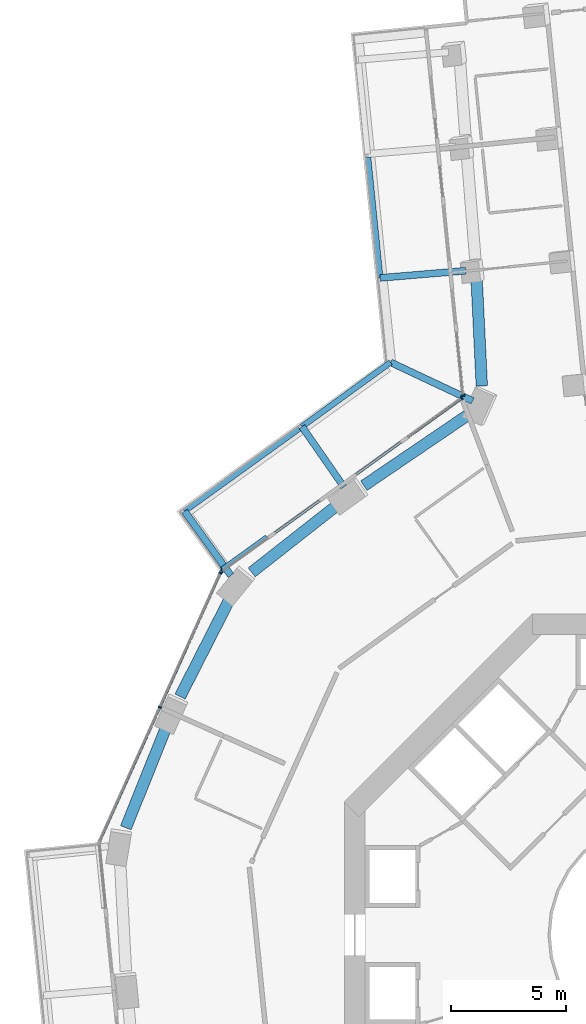
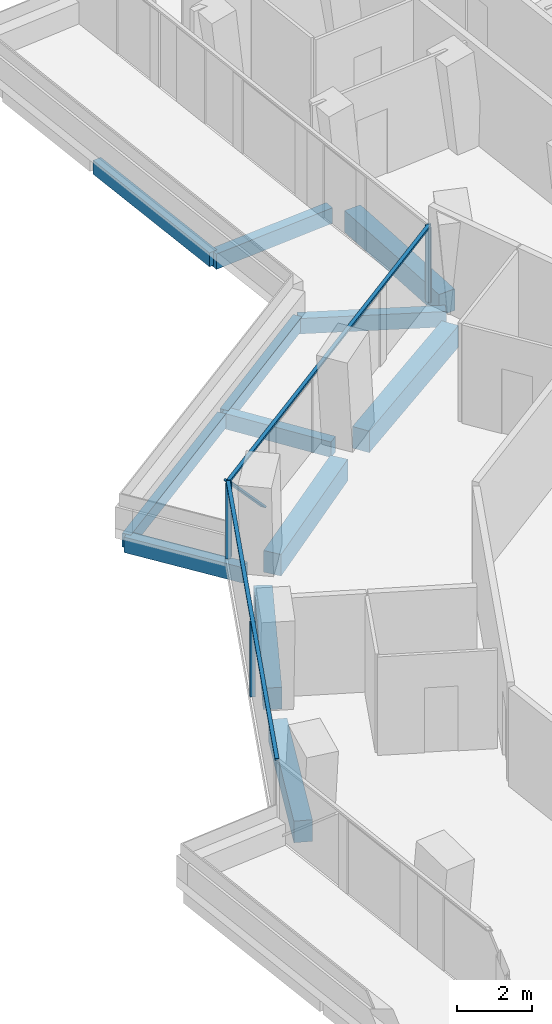
# One storey, part 7 of 26: 12 beams, 8 members, 3 elements without a shape of their own.
"""IFC4 building model written with IfcOpenShell, lengths in metres."""

from ifc_helpers import new_model, si_unit, direction, frame, origin, origin_2d, place, context, subcontext, project, spatial, rectangle, extrude, material, layer, layer_set, material_profile, profile_set, type_object, element, aggregate, save


model = new_model("IFC4")

# Units and contexts
model_context = context("Model", 3, precision=1e-05, world=origin(), true_north=direction((0.0, 1.0)))
body_context = subcontext(model_context, "Body", "Model", "MODEL_VIEW")
ifc_project = project(units=[si_unit("LENGTHUNIT", "METRE"), si_unit("AREAUNIT", "SQUARE_METRE"), si_unit("VOLUMEUNIT", "CUBIC_METRE"), si_unit("PLANEANGLEUNIT", "RADIAN"), si_unit("MASSUNIT", "GRAM", prefix="KILO")], contexts=[model_context])

# Site, building, storey
site_placement = place(None, origin())
site = spatial("IfcSite", under=ifc_project, at=site_placement, CompositionType="ELEMENT")
building_placement = place(site_placement, origin())
building = spatial("IfcBuilding", under=site, at=building_placement, Name="Verdalira Terraces Hotel", CompositionType="ELEMENT")
storey_placement = place(building_placement, frame((0.0, 0.0, 56.5)))
storey = spatial("IfcBuildingStorey", under=building, at=storey_placement, Name="L12", CompositionType="ELEMENT", Elevation=56.5)

# Beams
ifc_material_1 = material(Name="Concrete C40", Category="concrete")
ifc_material_profile_1 = material_profile(ifc_material_1, rectangle(XDim=0.300049, YDim=0.5, at=origin_2d()), Name="RC 300X500")
ifc_profile_set_1 = profile_set([ifc_material_profile_1], Name="Concrete C40")
beam_type_1 = type_object("IfcBeamType", Name="Balcony cantilever beam RC 300X500 C40", PredefinedType="BEAM", material=ifc_profile_set_1)
beam_1_placement = place(storey_placement, frame((-8.411133, 23.298096, -0.560059), z_axis=(-0.904852317, 0.425725598, 0.0), x_axis=(-0.425725598, -0.904852317, 0.0)))
element("IfcBeam", 1, at=beam_1_placement, inside=storey, type_object=beam_type_1, Name="Balcony cantilever beam R10-1", PredefinedType="BEAM", context=body_context, shape_type="SweptSolid", body=[
    extrude(rectangle(XDim=0.300049, YDim=0.5, at=origin_2d()), origin(), (0.0, 0.0, 1.0), 3.949951),
])
beam_2_placement = place(storey_placement, frame((-14.024658, 19.547363, -0.560059), z_axis=(-0.570771689, 0.821108811, 0.0), x_axis=(-0.821108811, -0.570771689, 0.0)))
element("IfcBeam", 2, at=beam_2_placement, inside=storey, type_object=beam_type_1, Name="Balcony cantilever beam R10-2", PredefinedType="BEAM", context=body_context, shape_type="SweptSolid", body=[
    extrude(rectangle(XDim=0.300049, YDim=0.5, at=origin_2d()), origin(), (0.0, 0.0, 1.0), 3.200684),
])
beam_3_placement = place(storey_placement, frame((-18.953369, 15.681396, -0.560059), z_axis=(-0.584373557, 0.811484779, 0.0), x_axis=(-0.811484779, -0.584373557, 0.0)))
element("IfcBeam", 3, at=beam_3_placement, inside=storey, type_object=beam_type_1, Name="Balcony cantilever beam R10-3", PredefinedType="BEAM", context=body_context, shape_type="SweptSolid", body=[
    extrude(rectangle(XDim=0.300049, YDim=0.5, at=origin_2d()), origin(), (0.0, 0.0, 1.0), 3.457031),
])
beam_4_placement = place(storey_placement, frame((-8.697754, 28.977295, -0.560059), z_axis=(-0.996492643, -0.083680414, 0.0), x_axis=(0.083680414, -0.996492643, 0.0)))
element("IfcBeam", 4, at=beam_4_placement, inside=storey, type_object=beam_type_1, Name="Balcony cantilever beam R10-6", PredefinedType="BEAM", context=body_context, shape_type="SweptSolid", body=[
    extrude(rectangle(XDim=0.300049, YDim=0.5, at=origin_2d()), origin(), (0.0, 0.0, 1.0), 3.754883),
])
ifc_material_2 = material(Name="Concrete C40", Category="concrete")
ifc_material_profile_2 = material_profile(ifc_material_2, rectangle(XDim=0.25, YDim=0.449951, at=origin_2d()), Name="RC 250X450")
ifc_profile_set_2 = profile_set([ifc_material_profile_2], Name="Concrete C40")
beam_type_2 = type_object("IfcBeamType", Name="Balcony edge beam RC 250X450 C40", PredefinedType="BEAM", material=ifc_profile_set_2)
beam_5_placement = place(storey_placement, frame((-11.985352, 24.979736, -0.534912), z_axis=(-0.809491398, -0.587131737, 0.0), x_axis=(0.587131737, -0.809491398, 0.0)))
element("IfcBeam", 5, at=beam_5_placement, inside=storey, type_object=beam_type_2, Name="Balcony edge beam R10-1", PredefinedType="BEAM", context=body_context, shape_type="SweptSolid", body=[
    extrude(rectangle(XDim=0.25, YDim=0.449951, at=origin_2d()), origin(), (0.0, 0.0, 1.0), 4.776123),
])
beam_6_placement = place(storey_placement, frame((-15.973145, 22.087891, -0.534912), z_axis=(-0.811478729, -0.584381958, 0.0), x_axis=(0.584381958, -0.811478729, 0.0)))
element("IfcBeam", 6, at=beam_6_placement, inside=storey, type_object=beam_type_2, Name="Balcony edge beam R10-2", PredefinedType="BEAM", context=body_context, shape_type="SweptSolid", body=[
    extrude(rectangle(XDim=0.25, YDim=0.449951, at=origin_2d()), origin(), (0.0, 0.0, 1.0), 6.162109),
])
beam_7_placement = place(storey_placement, frame((-12.969727, 33.919189, -0.534912), z_axis=(0.100377636, -0.994949411, 0.0), x_axis=(0.994949411, 0.100377636, 0.0)))
element("IfcBeam", 7, at=beam_7_placement, inside=storey, type_object=beam_type_2, Name="Balcony edge beam R10-4", PredefinedType="BEAM", context=body_context, shape_type="SweptSolid", body=[
    extrude(rectangle(XDim=0.25, YDim=0.449951, at=origin_2d()), origin(), (0.0, 0.0, 1.0), 5.282715),
])

# Curtain wall, members
ifc_material_3 = material(Name="Clear glass", Category="glass")
ifc_layer_1 = layer(ifc_material_3, 0.14990234375)
ifc_layer_set_1 = layer_set([ifc_layer_1], Name="CW1 curtain wall")
curtain_wall_type_1 = type_object("IfcCurtainWallType", Name="CW1 curtain wall", PredefinedType="NOTDEFINED", material=ifc_layer_set_1)
curtain_wall_1_placement = place(storey_placement, origin())
curtain_wall_1 = element("IfcCurtainWall", 8, at=curtain_wall_1_placement, inside=storey, type_object=curtain_wall_type_1, Name="CW1 curtain wall L12 edge 11", PredefinedType="NOTDEFINED")
ifc_material_4 = material(Name="Terracotta frame", Category="masonry")
ifc_material_profile_3 = material_profile(ifc_material_4, rectangle(XDim=0.060059, YDim=0.149902, at=origin_2d()), Name="MU 60x150")
ifc_profile_set_3 = profile_set([ifc_material_profile_3], Name="Terracotta frame")
member_type_1 = type_object("IfcMemberType", Name="CW1 mullion 60x150", PredefinedType="MULLION", material=ifc_profile_set_3)
member_1_placement = place(storey_placement, frame((-8.882324, 23.405029, 0.0), z_axis=(0.0, 0.0, 1.0), x_axis=(-0.811471999, -0.584391303, 0.0)))
member_1 = element("IfcMember", 9, at=member_1_placement, type_object=member_type_1, Name="CW1 mullion", PredefinedType="MULLION", context=body_context, shape_type="SweptSolid", body=[
    extrude(rectangle(XDim=0.060059, YDim=0.149902, at=origin_2d()), origin(), (0.0, 0.0, 1.0), 2.425049),
])
member_2_placement = place(storey_placement, frame((-19.350098, 15.866455, 0.0), z_axis=(0.0, 0.0, 1.0), x_axis=(-0.811471999, -0.584391303, 0.0)))
member_2 = element("IfcMember", 10, at=member_2_placement, type_object=member_type_1, Name="CW1 mullion", PredefinedType="MULLION", context=body_context, shape_type="SweptSolid", body=[
    extrude(rectangle(XDim=0.060059, YDim=0.149902, at=origin_2d()), origin(), (0.0, 0.0, 1.0), 2.425049),
])

curtain_wall_2_placement = place(storey_placement, origin())
curtain_wall_2 = element("IfcCurtainWall", 11, at=curtain_wall_2_placement, inside=storey, type_object=curtain_wall_type_1, Name="CW1 curtain wall L12 edge 12", PredefinedType="NOTDEFINED")
member_3_placement = place(storey_placement, frame((-19.411377, 15.791504, 0.0), z_axis=(0.0, 0.0, 1.0), x_axis=(-0.410559714, -0.911833714, 0.0)))
member_3 = element("IfcMember", 12, at=member_3_placement, type_object=member_type_1, Name="CW1 mullion", PredefinedType="MULLION", context=body_context, shape_type="SweptSolid", body=[
    extrude(rectangle(XDim=0.060059, YDim=0.149902, at=origin_2d()), origin(), (0.0, 0.0, 1.0), 2.425049),
])
member_4_placement = place(storey_placement, frame((-22.05127, 9.928711, 0.0), z_axis=(0.0, 0.0, 1.0), x_axis=(-0.410559714, -0.911833714, 0.0)))
member_4 = element("IfcMember", 13, at=member_4_placement, type_object=member_type_1, Name="CW1 mullion", PredefinedType="MULLION", context=body_context, shape_type="SweptSolid", body=[
    extrude(rectangle(XDim=0.060059, YDim=0.149902, at=origin_2d()), origin(), (0.0, 0.0, 1.0), 2.425049),
])

# Member
ifc_material_5 = material(Name="Terracotta frame", Category="masonry")
ifc_material_profile_4 = material_profile(ifc_material_5, rectangle(XDim=0.110107, YDim=0.064941, at=origin_2d()), Name="TR 65x110")
ifc_profile_set_4 = profile_set([ifc_material_profile_4], Name="Terracotta frame")
member_type_2 = type_object("IfcMemberType", Name="CW1 transom 65x110", PredefinedType="USERDEFINED", material=ifc_profile_set_4)
member_5_placement = place(storey_placement, frame((-8.85791, 23.422607, 2.45752), z_axis=(-0.81147824, -0.584382637, 0.0), x_axis=(0.584382637, -0.81147824, 0.0)))
member_5 = element("IfcMember", 14, at=member_5_placement, type_object=member_type_2, Name="CW1 transom", ObjectType="TRANSOM", PredefinedType="USERDEFINED", context=body_context, shape_type="SweptSolid", body=[
    extrude(rectangle(XDim=0.110107, YDim=0.064941, at=origin_2d()), origin(), (0.0, 0.0, 1.0), 12.959717),
])

member_6_placement = place(storey_placement, frame((-19.398926, 15.819092, 2.45752), z_axis=(-0.41056424, -0.911831676, 0.0), x_axis=(0.911831676, -0.41056424, 0.0)))
member_6 = element("IfcMember", 15, at=member_6_placement, type_object=member_type_2, Name="CW1 transom", ObjectType="TRANSOM", PredefinedType="USERDEFINED", context=body_context, shape_type="SweptSolid", body=[
    extrude(rectangle(XDim=0.110107, YDim=0.064941, at=origin_2d()), origin(), (0.0, 0.0, 1.0), 12.919922),
])

aggregate(curtain_wall_2, [member_3, member_4, member_6])

# Curtain wall, member
ifc_material_6 = material(Name="Clear glass", Category="glass")
ifc_layer_2 = layer(ifc_material_6, 0.14990234375)
ifc_layer_set_2 = layer_set([ifc_layer_2], Name="CW2 curtain wall")
curtain_wall_type_2 = type_object("IfcCurtainWallType", Name="CW2 curtain wall", PredefinedType="NOTDEFINED", material=ifc_layer_set_2)
curtain_wall_3_placement = place(storey_placement, origin())
curtain_wall_3 = element("IfcCurtainWall", 16, at=curtain_wall_3_placement, inside=storey, type_object=curtain_wall_type_2, Name="CW2 curtain wall L12 edge 10", PredefinedType="NOTDEFINED")
ifc_material_7 = material(Name="Terracotta frame", Category="masonry")
ifc_material_profile_5 = material_profile(ifc_material_7, rectangle(XDim=0.070068, YDim=0.149902, at=origin_2d()), Name="MU 70x150")
ifc_profile_set_5 = profile_set([ifc_material_profile_5], Name="Terracotta frame")
member_type_3 = type_object("IfcMemberType", Name="CW2 mullion 70x150", PredefinedType="MULLION", material=ifc_profile_set_5)
member_7_placement = place(storey_placement, frame((-8.830566, 23.525879, 0.0), z_axis=(0.0, 0.0, 1.0), x_axis=(0.100361715, -0.994951017, 0.0)))
member_7 = element("IfcMember", 17, at=member_7_placement, type_object=member_type_3, Name="CW2 mullion", PredefinedType="MULLION", context=body_context, shape_type="SweptSolid", body=[
    extrude(rectangle(XDim=0.070068, YDim=0.149902, at=origin_2d()), origin(), (0.0, 0.0, 1.0), 2.425049),
])
aggregate(curtain_wall_3, [member_7])

# Member
ifc_material_8 = material(Name="Terracotta frame", Category="masonry")
ifc_material_profile_6 = material_profile(ifc_material_8, rectangle(XDim=0.149902, YDim=0.060059, at=origin_2d()), Name="GB 60x150")
ifc_profile_set_6 = profile_set([ifc_material_profile_6], Name="Terracotta frame")
member_type_4 = type_object("IfcMemberType", Name="Diagonal glazing bar 60x150", PredefinedType="USERDEFINED", material=ifc_profile_set_6)
member_8_placement = place(storey_placement, frame((-17.416992, 17.368408, 0.022705), z_axis=(-0.575490103, -0.414402061, 0.705040476), x_axis=(0.584350404, -0.811501451, 0.0)))
member_8 = element("IfcMember", 18, at=member_8_placement, type_object=member_type_4, Name="Diagonal glazing bar", ObjectType="GLAZING BAR", PredefinedType="USERDEFINED", context=body_context, shape_type="SweptSolid", body=[
    extrude(rectangle(XDim=0.149902, YDim=0.060059, at=origin_2d()), origin(), (0.0, 0.0, 1.0), 3.375244),
])

aggregate(curtain_wall_1, [member_1, member_2, member_5, member_8])

# Beams
ifc_material_9 = material(Name="Concrete C70", Category="concrete")
ifc_material_profile_7 = material_profile(ifc_material_9, rectangle(XDim=0.5, YDim=0.699951, at=origin_2d()), Name="RC 500X700")
ifc_profile_set_7 = profile_set([ifc_material_profile_7], Name="Concrete C70")
beam_type_3 = type_object("IfcBeamType", Name="Spandrel beam RC 500X700 C70", PredefinedType="SPANDREL", material=ifc_profile_set_7)
beam_8_placement = place(storey_placement, frame((-8.229004, 28.569824, -0.659912), z_axis=(0.048329702, -0.998831437, 0.0), x_axis=(0.998831437, 0.048329702, 0.0)))
element("IfcBeam", 19, at=beam_8_placement, inside=storey, type_object=beam_type_3, Name="Spandrel beam B07", PredefinedType="SPANDREL", context=body_context, shape_type="SweptSolid", body=[
    extrude(rectangle(XDim=0.5, YDim=0.699951, at=origin_2d()), origin(), (0.0, 0.0, 1.0), 4.627197),
])
beam_9_placement = place(storey_placement, frame((-8.65332, 22.652344, -0.659912), z_axis=(-0.827254481, -0.561827396, 0.0), x_axis=(0.561827396, -0.827254481, 0.0)))
element("IfcBeam", 20, at=beam_9_placement, inside=storey, type_object=beam_type_3, Name="Spandrel beam B08", PredefinedType="SPANDREL", context=body_context, shape_type="SweptSolid", body=[
    extrude(rectangle(XDim=0.5, YDim=0.699951, at=origin_2d()), origin(), (0.0, 0.0, 1.0), 5.438721),
])
beam_10_placement = place(storey_placement, frame((-14.305908, 18.752686, -0.659912), z_axis=(-0.786476868, -0.617619735, 0.0), x_axis=(0.617619735, -0.786476868, 0.0)))
element("IfcBeam", 21, at=beam_10_placement, inside=storey, type_object=beam_type_3, Name="Spandrel beam B09", PredefinedType="SPANDREL", context=body_context, shape_type="SweptSolid", body=[
    extrude(rectangle(XDim=0.5, YDim=0.699951, at=origin_2d()), origin(), (0.0, 0.0, 1.0), 4.755371),
])
beam_11_placement = place(storey_placement, frame((-19.012451, 14.637207, -0.659912), z_axis=(-0.453768228, -0.891119742, 0.0), x_axis=(0.891119742, -0.453768228, 0.0)))
element("IfcBeam", 22, at=beam_11_placement, inside=storey, type_object=beam_type_3, Name="Spandrel beam B10", PredefinedType="SPANDREL", context=body_context, shape_type="SweptSolid", body=[
    extrude(rectangle(XDim=0.5, YDim=0.699951, at=origin_2d()), origin(), (0.0, 0.0, 1.0), 4.758789),
])
beam_12_placement = place(storey_placement, frame((-21.765625, 9.087402, -0.659912), z_axis=(-0.372266833, -0.928125749, 0.0), x_axis=(0.928125749, -0.372266833, 0.0)))
element("IfcBeam", 23, at=beam_12_placement, inside=storey, type_object=beam_type_3, Name="Spandrel beam B11", PredefinedType="SPANDREL", context=body_context, shape_type="SweptSolid", body=[
    extrude(rectangle(XDim=0.5, YDim=0.699951, at=origin_2d()), origin(), (0.0, 0.0, 1.0), 4.755371),
])

save(model, "model.ifc")
